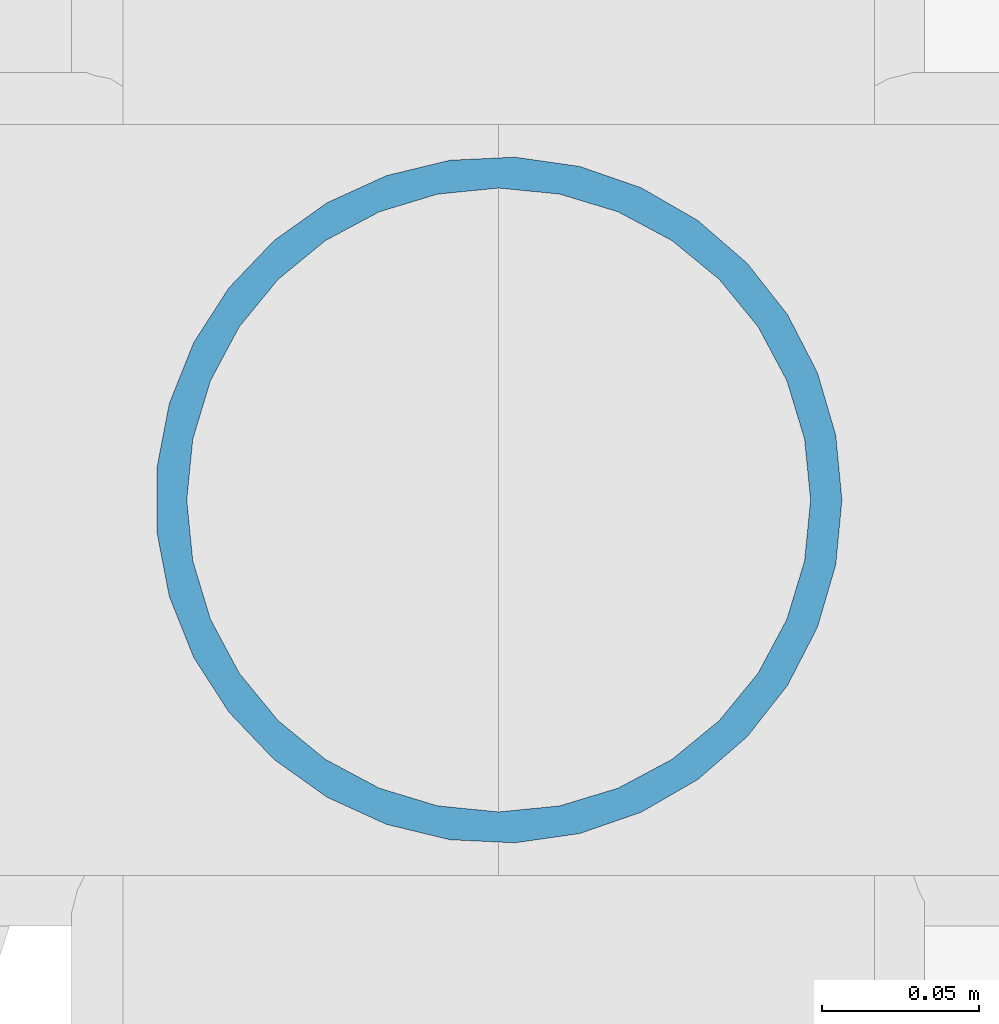
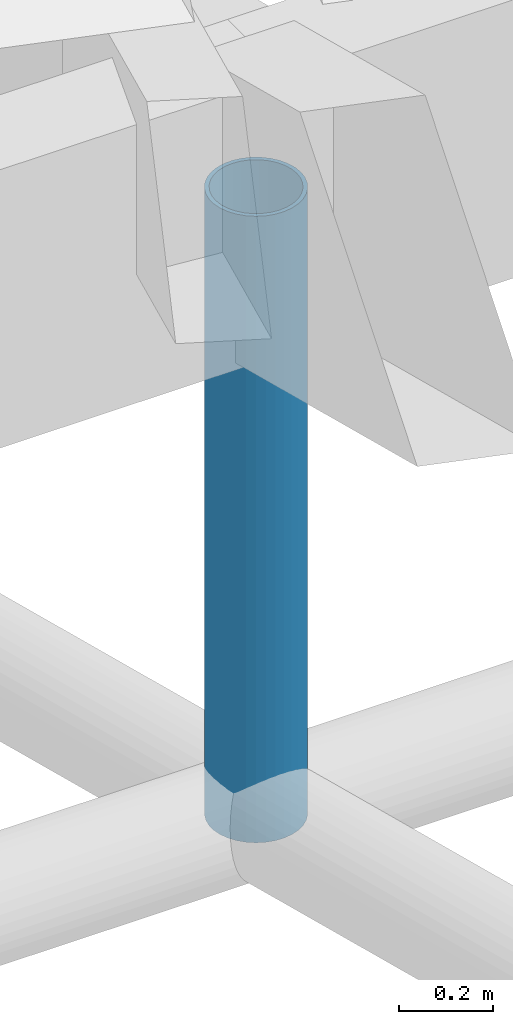
# One storey, part 60 of 80: 1 member.
"""IFC4 building model written with IfcOpenShell, lengths in metres."""

from ifc_helpers import new_model, si_unit, direction, frame, origin, origin_2d, place, context, subcontext, project, spatial, hollow_circle, extrude, material, material_profile, profile_set, type_object, element, save


model = new_model("IFC4")

# Units and contexts
model_context = context("Model", 3, precision=1e-05, world=origin(), true_north=direction((0.0, 1.0)))
body_context = subcontext(model_context, "Body", "Model", "MODEL_VIEW")
ifc_project = project(units=[si_unit("LENGTHUNIT", "METRE"), si_unit("AREAUNIT", "SQUARE_METRE"), si_unit("VOLUMEUNIT", "CUBIC_METRE"), si_unit("PLANEANGLEUNIT", "RADIAN"), si_unit("MASSUNIT", "GRAM", prefix="KILO"), si_unit("THERMODYNAMICTEMPERATUREUNIT", "KELVIN"), si_unit("POWERUNIT", "WATT")], contexts=[model_context])

# Site, building, storey
site_placement = place(None, origin())
site = spatial("IfcSite", under=ifc_project, at=site_placement, CompositionType="ELEMENT")
building_placement = place(site_placement, origin())
building = spatial("IfcBuilding", under=site, at=building_placement, Name="Solmara Park Aquatics Centre", CompositionType="ELEMENT")
storey_placement = place(building_placement, frame((0.0, 0.0, 22.800048828125)))
storey = spatial("IfcBuildingStorey", under=building, at=storey_placement, Name="RF", CompositionType="ELEMENT", Elevation=22.800048828125)

# Member
ifc_material = material(Name="Structural Steel S355", Category="steel")
ifc_material_profile = material_profile(ifc_material, hollow_circle(Radius=0.109619140625, WallThickness=0.010009765625, at=origin_2d()), Name="CHS 219.1x10")
ifc_profile_set = profile_set([ifc_material_profile], Name="Structural Steel S355")
member_type = type_object("IfcMemberType", Name="STR-PST-CHS219", PredefinedType="POST", material=ifc_profile_set)
member_placement = place(storey_placement, frame((66.60009765625, 66.60009765625, -9.58984375), z_axis=(0.0, 0.0, 1.0), x_axis=(1.0, 0.0, 0.0)))
element("IfcMember", 1, at=member_placement, inside=storey, type_object=member_type, Name="Roof Truss Web Post 1242", PredefinedType="POST", context=body_context, shape_type="SweptSolid", body=[
    extrude(hollow_circle(Radius=0.109619140625, WallThickness=0.010009765625, at=origin_2d()), origin(), (0.0, 0.0, 1.0), 1.6201171875),
])

save(model, "model.ifc")
